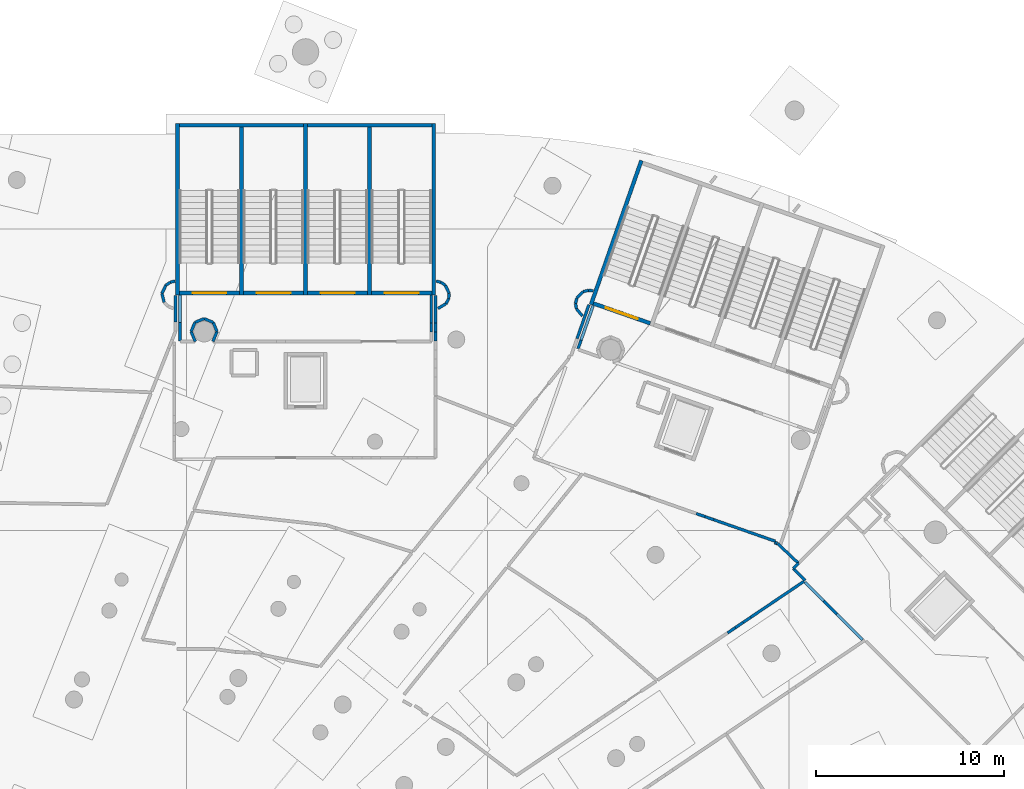
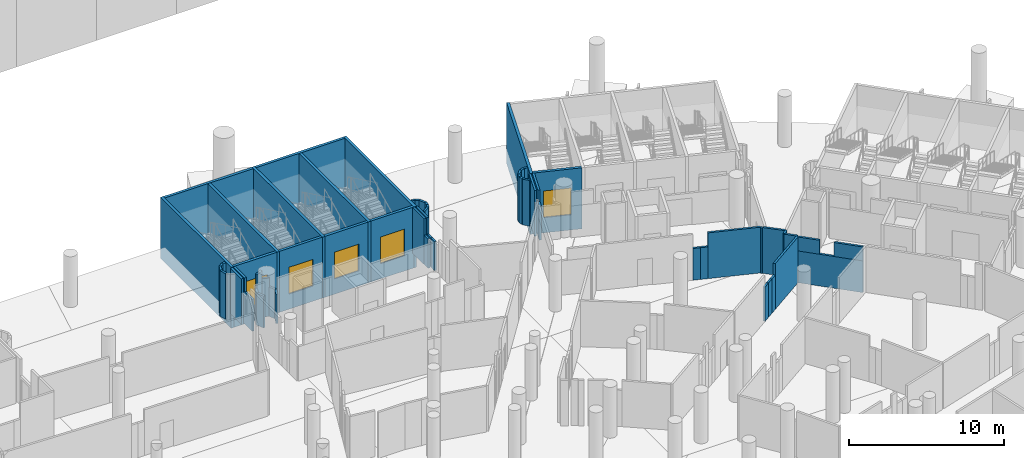
# One storey, part 91 of 142: 60 walls, 5 doors, 5 openings.
"""IFC4 building model written with IfcOpenShell, lengths in metres."""

from ifc_helpers import new_model, si_unit, direction, frame, frame_2d, origin, place, context, subcontext, project, spatial, rectangle, extrude, material, layer, layer_set, type_object, element, fill, save


model = new_model("IFC4")

# Units and contexts
model_context = context("Model", 3, precision=1e-05, world=origin(), true_north=direction((0.0, 1.0)))
body_context = subcontext(model_context, "Body", "Model", "MODEL_VIEW")
ifc_project = project(units=[si_unit("LENGTHUNIT", "METRE"), si_unit("AREAUNIT", "SQUARE_METRE"), si_unit("VOLUMEUNIT", "CUBIC_METRE"), si_unit("PLANEANGLEUNIT", "RADIAN"), si_unit("MASSUNIT", "GRAM", prefix="KILO")], contexts=[model_context])

# Site, building, storey
site_placement = place(None, origin())
site = spatial("IfcSite", under=ifc_project, at=site_placement, CompositionType="ELEMENT")
building_placement = place(site_placement, origin())
building = spatial("IfcBuilding", under=site, at=building_placement, Name="Meseta Stadium", CompositionType="ELEMENT")
storey_placement = place(building_placement, frame((0.0, 0.0, -4.0)))
storey = spatial("IfcBuildingStorey", under=building, at=storey_placement, Name="B1", CompositionType="ELEMENT", Elevation=-4.0)

# Walls
ifc_material_1 = material(Name="Concrete C40/50", Category="concrete")
ifc_layer_1 = layer(ifc_material_1, 0.199951171875)
ifc_layer_set_1 = layer_set([ifc_layer_1], Name="Core divider wall 200")
wall_type_1 = type_object("IfcWallType", Name="Core divider wall 200", PredefinedType="SHEAR", material=ifc_layer_set_1)
for number, where, z_axis, x_axis, name in (
    (1, (41.7333984375, 101.60009765625, -1.199951171875), (0.0, 0.0, 1.0), (0.0, -1.0, 0.0), "Core 09 B1 stair A divider wall"),
    (2, (34.933349609375, 101.60009765625, -1.199951171875), (0.0, 0.0, 1.0), (0.0, -1.0, 0.0), "Core 09 B1 stair B divider wall"),
):
    element("IfcWall", number, at=place(storey_placement, frame(where, z_axis=z_axis, x_axis=x_axis)), inside=storey, type_object=wall_type_1, Name=name, PredefinedType="SHEAR", context=body_context, shape_type="SweptSolid", body=[
        extrude(rectangle(XDim=9.10009765625, YDim=0.199951171875, at=frame_2d((4.550048828125, 0.0))), origin(), (0.0, 0.0, 1.0), 4.800048828125),
    ])
ifc_material_2 = material(Name="Concrete C40/50", Category="concrete")
ifc_layer_2 = layer(ifc_material_2, 0.199951171875)
ifc_layer_set_2 = layer_set([ifc_layer_2], Name="Core shaft wall 200")
wall_type_2 = type_object("IfcWallType", Name="Core shaft wall 200", PredefinedType="SHEAR", material=ifc_layer_set_2)
wall_1_placement = place(storey_placement, frame((56.16162109375, 99.62890625, -1.199951171875), z_axis=(0.0, 0.0, 1.0), x_axis=(-0.330280610426, -0.943882788474, 0.0)))
element("IfcWall", 3, at=wall_1_placement, inside=storey, type_object=wall_type_2, Name="Core 08 B1 stair wall B-side", PredefinedType="SHEAR", context=body_context, shape_type="SweptSolid", body=[
    extrude(rectangle(XDim=8.10009765625, YDim=0.199951171875, at=frame_2d((4.050048828125, 0.0))), origin(), (0.0, 0.0, 1.0), 4.800048828125),
])

# Wall, opening, door
wall_2_placement = place(storey_placement, frame((56.63427734375, 90.98779296875, -1.199951171875), z_axis=(0.0, 0.0, 1.0), x_axis=(-0.943886898693, 0.330268863922, 0.0)))
wall_2 = element("IfcWall", 4, at=wall_2_placement, inside=storey, type_object=wall_type_2, Name="Core 08 B1 stair B2 inner end wall", PredefinedType="SHEAR", context=body_context, shape_type="SweptSolid", body=[
    extrude(rectangle(XDim=3.2001953125, YDim=0.199951171875, at=frame_2d((1.60009765625, 0.0))), origin(), (0.0, 0.0, 1.0), 4.800048828125),
])
opening_1_placement = place(wall_2_placement, frame((0.699951171875, 0.0, 1.199951171875)))
opening_1 = element("IfcOpeningElement", 5, at=opening_1_placement, cuts=wall_2, Name="Opening D118", PredefinedType="OPENING", context=body_context, shape_type="SweptSolid", body=[
    extrude(rectangle(XDim=1.800048828125, YDim=2.10009765625, at=frame_2d((0.89990234375, 1.050048828125))), frame((0.0, 0.10986328125, 0.0), z_axis=(0.0, -1.0, 0.0), x_axis=(1.0, 0.0, 0.0)), (0.0, 0.0, 1.0), 0.219970703125),
])
ifc_material_3 = material(Name="Steel", Category="steel")
door_type = type_object("IfcDoorType", Name="Stair door 1800x2100", OperationType="DOUBLE_DOOR_SINGLE_SWING", PredefinedType="DOOR", material=ifc_material_3)
door_1_placement = place(opening_1_placement, origin())
door_1 = element("IfcDoor", 6, at=door_1_placement, inside=storey, type_object=door_type, Name="Stair B2 door 08 B1", OperationType="DOUBLE_DOOR_SINGLE_SWING", OverallHeight=2.10009765625, OverallWidth=1.800048828125, PredefinedType="DOOR", context=body_context, shape_type="SweptSolid", body=[
    extrude(rectangle(XDim=1.800048828125, YDim=2.10009765625, at=frame_2d((0.89990234375, 1.050048828125))), frame((0.0, 0.02490234375, 0.0), z_axis=(0.0, -1.0, 0.0), x_axis=(1.0, 0.0, 0.0)), (0.0, 0.0, 1.0), 0.050048828125),
])
fill(opening_1, door_1)

# Walls
for number, where, z_axis, x_axis, name in (
    (7, (45.13330078125, 101.60009765625, -1.199951171875), (0.0, 0.0, 1.0), (0.0, -1.0, 0.0), "Core 09 B1 stair wall A-side"),
    (8, (38.333251953125, 101.60009765625, -1.199951171875), (0.0, 0.0, 1.0), (0.0, -1.0, 0.0), "Core 09 B1 stair wall shared"),
    (9, (31.533203125, 101.60009765625, -1.199951171875), (0.0, 0.0, 1.0), (0.0, -1.0, 0.0), "Core 09 B1 stair wall B-side"),
):
    element("IfcWall", number, at=place(storey_placement, frame(where, z_axis=z_axis, x_axis=x_axis)), inside=storey, type_object=wall_type_2, Name=name, PredefinedType="SHEAR", context=body_context, shape_type="SweptSolid", body=[
        extrude(rectangle(XDim=9.10009765625, YDim=0.199951171875, at=frame_2d((4.550048828125, 0.0))), origin(), (0.0, 0.0, 1.0), 4.800048828125),
    ])
wall_3_placement = place(storey_placement, frame((45.033203125, 101.5, -1.199951171875), z_axis=(0.0, 0.0, 1.0), x_axis=(-1.0, 0.0, 0.0)))
element("IfcWall", 10, at=wall_3_placement, inside=storey, type_object=wall_type_2, Name="Core 09 B1 stair A outer end wall", PredefinedType="SHEAR", context=body_context, shape_type="SweptSolid", body=[
    extrude(rectangle(XDim=6.599853515625, YDim=0.199951171875, at=frame_2d((3.2998046875, 0.0))), origin(), (0.0, 0.0, 1.0), 4.800048828125),
])
wall_4_placement = place(storey_placement, frame((38.2333984375, 101.5, -1.199951171875), z_axis=(0.0, 0.0, 1.0), x_axis=(-1.0, 0.0, 0.0)))
element("IfcWall", 11, at=wall_4_placement, inside=storey, type_object=wall_type_2, Name="Core 09 B1 stair B outer end wall", PredefinedType="SHEAR", context=body_context, shape_type="SweptSolid", body=[
    extrude(rectangle(XDim=6.60009765625, YDim=0.199951171875, at=frame_2d((3.300048828125, 0.0))), origin(), (0.0, 0.0, 1.0), 4.800048828125),
])

# Wall, opening, door
wall_5_placement = place(storey_placement, frame((45.033203125, 92.60009765625, -1.199951171875), z_axis=(0.0, 0.0, 1.0), x_axis=(-1.0, 0.0, 0.0)))
wall_5 = element("IfcWall", 12, at=wall_5_placement, inside=storey, type_object=wall_type_2, Name="Core 09 B1 stair A1 inner end wall", PredefinedType="SHEAR", context=body_context, shape_type="SweptSolid", body=[
    extrude(rectangle(XDim=3.199951171875, YDim=0.199951171875, at=frame_2d((1.60009765625, 0.0))), origin(), (0.0, 0.0, 1.0), 4.800048828125),
])
opening_2_placement = place(wall_5_placement, frame((0.699951171875, 0.0, 1.199951171875)))
opening_2 = element("IfcOpeningElement", 13, at=opening_2_placement, cuts=wall_5, Name="Opening D127", PredefinedType="OPENING", context=body_context, shape_type="SweptSolid", body=[
    extrude(rectangle(XDim=1.800048828125, YDim=2.10009765625, at=frame_2d((0.89990234375, 1.050048828125))), frame((0.0, 0.10986328125, 0.0), z_axis=(0.0, -1.0, 0.0), x_axis=(1.0, 0.0, 0.0)), (0.0, 0.0, 1.0), 0.219970703125),
])
door_2_placement = place(opening_2_placement, origin())
door_2 = element("IfcDoor", 14, at=door_2_placement, inside=storey, type_object=door_type, Name="Stair A1 door 09 B1", OperationType="DOUBLE_DOOR_SINGLE_SWING", OverallHeight=2.10009765625, OverallWidth=1.800048828125, PredefinedType="DOOR", context=body_context, shape_type="SweptSolid", body=[
    extrude(rectangle(XDim=1.800048828125, YDim=2.10009765625, at=frame_2d((0.89990234375, 1.050048828125))), frame((0.0, 0.02490234375, 0.0), z_axis=(0.0, -1.0, 0.0), x_axis=(1.0, 0.0, 0.0)), (0.0, 0.0, 1.0), 0.050048828125),
])
fill(opening_2, door_2)

wall_6_placement = place(storey_placement, frame((41.63330078125, 92.60009765625, -1.199951171875), z_axis=(0.0, 0.0, 1.0), x_axis=(-1.0, 0.0, 0.0)))
wall_6 = element("IfcWall", 15, at=wall_6_placement, inside=storey, type_object=wall_type_2, Name="Core 09 B1 stair A2 inner end wall", PredefinedType="SHEAR", context=body_context, shape_type="SweptSolid", body=[
    extrude(rectangle(XDim=3.199951171875, YDim=0.199951171875, at=frame_2d((1.60009765625, 0.0))), origin(), (0.0, 0.0, 1.0), 4.800048828125),
])
opening_3_placement = place(wall_6_placement, frame((0.699951171875, 0.0, 1.199951171875)))
opening_3 = element("IfcOpeningElement", 16, at=opening_3_placement, cuts=wall_6, Name="Opening D128", PredefinedType="OPENING", context=body_context, shape_type="SweptSolid", body=[
    extrude(rectangle(XDim=1.800048828125, YDim=2.10009765625, at=frame_2d((0.89990234375, 1.050048828125))), frame((0.0, 0.10986328125, 0.0), z_axis=(0.0, -1.0, 0.0), x_axis=(1.0, 0.0, 0.0)), (0.0, 0.0, 1.0), 0.219970703125),
])
door_3_placement = place(opening_3_placement, origin())
door_3 = element("IfcDoor", 17, at=door_3_placement, inside=storey, type_object=door_type, Name="Stair A2 door 09 B1", OperationType="DOUBLE_DOOR_SINGLE_SWING", OverallHeight=2.10009765625, OverallWidth=1.800048828125, PredefinedType="DOOR", context=body_context, shape_type="SweptSolid", body=[
    extrude(rectangle(XDim=1.800048828125, YDim=2.10009765625, at=frame_2d((0.89990234375, 1.050048828125))), frame((0.0, 0.02490234375, 0.0), z_axis=(0.0, -1.0, 0.0), x_axis=(1.0, 0.0, 0.0)), (0.0, 0.0, 1.0), 0.050048828125),
])
fill(opening_3, door_3)

wall_7_placement = place(storey_placement, frame((38.2333984375, 92.60009765625, -1.199951171875), z_axis=(0.0, 0.0, 1.0), x_axis=(-1.0, 0.0, 0.0)))
wall_7 = element("IfcWall", 18, at=wall_7_placement, inside=storey, type_object=wall_type_2, Name="Core 09 B1 stair B1 inner end wall", PredefinedType="SHEAR", context=body_context, shape_type="SweptSolid", body=[
    extrude(rectangle(XDim=3.2001953125, YDim=0.199951171875, at=frame_2d((1.60009765625, 0.0))), origin(), (0.0, 0.0, 1.0), 4.800048828125),
])
opening_4_placement = place(wall_7_placement, frame((0.699951171875, 0.0, 1.199951171875)))
opening_4 = element("IfcOpeningElement", 19, at=opening_4_placement, cuts=wall_7, Name="Opening D129", PredefinedType="OPENING", context=body_context, shape_type="SweptSolid", body=[
    extrude(rectangle(XDim=1.800048828125, YDim=2.10009765625, at=frame_2d((0.89990234375, 1.050048828125))), frame((0.0, 0.10986328125, 0.0), z_axis=(0.0, -1.0, 0.0), x_axis=(1.0, 0.0, 0.0)), (0.0, 0.0, 1.0), 0.219970703125),
])
door_4_placement = place(opening_4_placement, origin())
door_4 = element("IfcDoor", 20, at=door_4_placement, inside=storey, type_object=door_type, Name="Stair B1 door 09 B1", OperationType="DOUBLE_DOOR_SINGLE_SWING", OverallHeight=2.10009765625, OverallWidth=1.800048828125, PredefinedType="DOOR", context=body_context, shape_type="SweptSolid", body=[
    extrude(rectangle(XDim=1.800048828125, YDim=2.10009765625, at=frame_2d((0.89990234375, 1.050048828125))), frame((0.0, 0.02490234375, 0.0), z_axis=(0.0, -1.0, 0.0), x_axis=(1.0, 0.0, 0.0)), (0.0, 0.0, 1.0), 0.050048828125),
])
fill(opening_4, door_4)

wall_8_placement = place(storey_placement, frame((34.833251953125, 92.60009765625, -1.199951171875), z_axis=(0.0, 0.0, 1.0), x_axis=(-1.0, 0.0, 0.0)))
wall_8 = element("IfcWall", 21, at=wall_8_placement, inside=storey, type_object=wall_type_2, Name="Core 09 B1 stair B2 inner end wall", PredefinedType="SHEAR", context=body_context, shape_type="SweptSolid", body=[
    extrude(rectangle(XDim=3.199951171875, YDim=0.199951171875, at=frame_2d((1.60009765625, 0.0))), origin(), (0.0, 0.0, 1.0), 4.800048828125),
])
opening_5_placement = place(wall_8_placement, frame((0.699951171875, 0.0, 1.199951171875)))
opening_5 = element("IfcOpeningElement", 22, at=opening_5_placement, cuts=wall_8, Name="Opening D130", PredefinedType="OPENING", context=body_context, shape_type="SweptSolid", body=[
    extrude(rectangle(XDim=1.800048828125, YDim=2.10009765625, at=frame_2d((0.89990234375, 1.050048828125))), frame((0.0, 0.10986328125, 0.0), z_axis=(0.0, -1.0, 0.0), x_axis=(1.0, 0.0, 0.0)), (0.0, 0.0, 1.0), 0.219970703125),
])
door_5_placement = place(opening_5_placement, origin())
door_5 = element("IfcDoor", 23, at=door_5_placement, inside=storey, type_object=door_type, Name="Stair B2 door 09 B1", OperationType="DOUBLE_DOOR_SINGLE_SWING", OverallHeight=2.10009765625, OverallWidth=1.800048828125, PredefinedType="DOOR", context=body_context, shape_type="SweptSolid", body=[
    extrude(rectangle(XDim=1.800048828125, YDim=2.10009765625, at=frame_2d((0.89990234375, 1.050048828125))), frame((0.0, 0.02490234375, 0.0), z_axis=(0.0, -1.0, 0.0), x_axis=(1.0, 0.0, 0.0)), (0.0, 0.0, 1.0), 0.050048828125),
])
fill(opening_5, door_5)

# Walls
ifc_material_4 = material(Name="Masonry blockwork", Category="masonry")
ifc_layer_3 = layer(ifc_material_4, 0.14990234375)
ifc_layer_set_3 = layer_set([ifc_layer_3], Name="Partition 150")
wall_type_3 = type_object("IfcWallType", Name="Partition 150", PredefinedType="PARTITIONING", material=ifc_layer_set_3)
for number, where, z_axis, x_axis, name in (
    (24, (59.07568359375, 80.887939453125, 0.0), (0.0, 0.0, 1.0), (0.943873796239, -0.330306307498, 0.0), "Partition B1 B1-cell06-2-0"),
    (25, (59.541015625, 80.72509765625, 0.0), (0.0, 0.0, 1.0), (0.944028109285, -0.329865016151, 0.0), "Partition B1 B1-cell06-2-0"),
):
    element("IfcWall", number, at=place(storey_placement, frame(where, z_axis=z_axis, x_axis=x_axis)), inside=storey, type_object=wall_type_3, Name=name, PredefinedType="PARTITIONING", context=body_context, shape_type="SweptSolid", body=[
        extrude(rectangle(XDim=0.492919921875, YDim=0.14990234375, at=frame_2d((0.24658203125, 0.0))), origin(), (0.0, 0.0, 1.0), 2.5),
    ])
wall_9_placement = place(storey_placement, frame((60.00634765625, 80.5625, 0.0), z_axis=(0.0, 0.0, 1.0), x_axis=(0.943866077076, -0.33032836473, 0.0)))
element("IfcWall", 26, at=wall_9_placement, inside=storey, type_object=wall_type_3, Name="Partition B1 B1-cell06-2-0", PredefinedType="PARTITIONING", context=body_context, shape_type="SweptSolid", body=[
    extrude(rectangle(XDim=3.45068359375, YDim=0.14990234375, at=frame_2d((1.725341796875, 0.0))), origin(), (0.0, 0.0, 1.0), 3.60009765625),
])
wall_10_placement = place(storey_placement, frame((63.396240234375, 79.296630859375, 0.0), z_axis=(0.0, 0.0, 1.0), x_axis=(0.725626624964, -0.688088657909, 0.0)))
element("IfcWall", 27, at=wall_10_placement, inside=storey, type_object=wall_type_3, Name="Partition B1 B1-cell06-2-0", PredefinedType="PARTITIONING", context=body_context, shape_type="SweptSolid", body=[
    extrude(rectangle(XDim=1.515380859375, YDim=0.14990234375, at=frame_2d((0.7578125, 0.0))), origin(), (0.0, 0.0, 1.0), 3.60009765625),
])
wall_11_placement = place(storey_placement, frame((64.495849609375, 78.25390625, 0.0), z_axis=(0.0, 0.0, 1.0), x_axis=(-0.706798874946, -0.707414553409, 0.0)))
element("IfcWall", 28, at=wall_11_placement, inside=storey, type_object=wall_type_3, Name="Partition B1 B1-cell06-2-0", PredefinedType="PARTITIONING", context=body_context, shape_type="SweptSolid", body=[
    extrude(rectangle(XDim=0.396484375, YDim=0.14990234375, at=frame_2d((0.1982421875, 0.0))), origin(), (0.0, 0.0, 1.0), 3.60009765625),
])
wall_12_placement = place(storey_placement, frame((64.215576171875, 77.973388671875, 0.0), z_axis=(0.0, 0.0, 1.0), x_axis=(0.707106781187, -0.707106781187, 0.0)))
element("IfcWall", 29, at=wall_12_placement, inside=storey, type_object=wall_type_3, Name="Partition B1 B1-cell06-2-0", PredefinedType="PARTITIONING", context=body_context, shape_type="SweptSolid", body=[
    extrude(rectangle(XDim=0.907470703125, YDim=0.14990234375, at=frame_2d((0.45361328125, 0.0))), origin(), (0.0, 0.0, 1.0), 3.60009765625),
])
wall_13_placement = place(storey_placement, frame((64.793701171875, 77.2890625, 0.0), z_axis=(0.0, 0.0, 1.0), x_axis=(-0.828834529993, -0.559493808626, 0.0)))
element("IfcWall", 30, at=wall_13_placement, inside=storey, type_object=wall_type_3, Name="Partition B1 B1-cell06-2-0", PredefinedType="PARTITIONING", context=body_context, shape_type="SweptSolid", body=[
    extrude(rectangle(XDim=3.40185546875, YDim=0.14990234375, at=frame_2d((1.700927734375, 0.0))), origin(), (0.0, 0.0, 1.0), 3.60009765625),
])
wall_14_placement = place(storey_placement, frame((61.97412109375, 75.3857421875, 0.0), z_axis=(0.0, 0.0, 1.0), x_axis=(-0.828632099968, -0.559793571687, 0.0)))
element("IfcWall", 31, at=wall_14_placement, inside=storey, type_object=wall_type_3, Name="Partition B1 B1-cell06-2-0", PredefinedType="PARTITIONING", context=body_context, shape_type="SweptSolid", body=[
    extrude(rectangle(XDim=0.496826171875, YDim=0.14990234375, at=frame_2d((0.24853515625, 0.0))), origin(), (0.0, 0.0, 1.0), 2.699951171875),
])
wall_15_placement = place(storey_placement, frame((61.5625, 75.107666015625, 0.0), z_axis=(0.0, 0.0, 1.0), x_axis=(-0.828939751849, -0.559337901277, 0.0)))
element("IfcWall", 32, at=wall_15_placement, inside=storey, type_object=wall_type_3, Name="Partition B1 B1-cell06-2-0", PredefinedType="PARTITIONING", context=body_context, shape_type="SweptSolid", body=[
    extrude(rectangle(XDim=0.4970703125, YDim=0.14990234375, at=frame_2d((0.24853515625, 0.0))), origin(), (0.0, 0.0, 1.0), 2.699951171875),
])
wall_16_placement = place(storey_placement, frame((61.150390625, 74.82958984375, 0.0), z_axis=(0.0, 0.0, 1.0), x_axis=(-0.828632099968, -0.559793571687, 0.0)))
element("IfcWall", 33, at=wall_16_placement, inside=storey, type_object=wall_type_3, Name="Partition B1 B1-cell06-2-0", PredefinedType="PARTITIONING", context=body_context, shape_type="SweptSolid", body=[
    extrude(rectangle(XDim=0.496826171875, YDim=0.14990234375, at=frame_2d((0.24853515625, 0.0))), origin(), (0.0, 0.0, 1.0), 2.699951171875),
])
for number, where, z_axis, x_axis, name in (
    (34, (45.2333984375, 90.052734375, 0.0), (0.0, 0.0, 1.0), (0.0, 1.0, 0.0), "Partition B1 B1-cell07-3-0"),
    (35, (45.2333984375, 90.5341796875, 0.0), (0.0, 0.0, 1.0), (0.0, 1.0, 0.0), "Partition B1 B1-cell07-3-0"),
):
    element("IfcWall", number, at=place(storey_placement, frame(where, z_axis=z_axis, x_axis=x_axis)), inside=storey, type_object=wall_type_3, Name=name, PredefinedType="PARTITIONING", context=body_context, shape_type="SweptSolid", body=[
        extrude(rectangle(XDim=0.4814453125, YDim=0.14990234375, at=frame_2d((0.24072265625, 0.0))), origin(), (0.0, 0.0, 1.0), 2.300048828125),
    ])
wall_17_placement = place(storey_placement, frame((45.2333984375, 91.015625, 0.0), z_axis=(0.0, 0.0, 1.0), x_axis=(0.0, 1.0, 0.0)))
element("IfcWall", 36, at=wall_17_placement, inside=storey, type_object=wall_type_3, Name="Partition B1 B1-cell07-3-0", PredefinedType="PARTITIONING", context=body_context, shape_type="SweptSolid", body=[
    extrude(rectangle(XDim=1.4443359375, YDim=0.14990234375, at=frame_2d((0.72216796875, 0.0))), origin(), (0.0, 0.0, 1.0), 3.60009765625),
])
wall_18_placement = place(storey_placement, frame((53.378662109375, 91.978759765625, 0.0), z_axis=(0.0, 0.0, 1.0), x_axis=(-0.330190985446, -0.943914145, 0.0)))
element("IfcWall", 37, at=wall_18_placement, inside=storey, type_object=wall_type_3, Name="Partition B1 B1-cell07-3-0", PredefinedType="PARTITIONING", context=body_context, shape_type="SweptSolid", body=[
    extrude(rectangle(XDim=1.909912109375, YDim=0.14990234375, at=frame_2d((0.955078125, 0.0))), origin(), (0.0, 0.0, 1.0), 3.60009765625),
])
wall_19_placement = place(storey_placement, frame((31.433349609375, 92.4599609375, 0.0), z_axis=(0.0, 0.0, 1.0), x_axis=(0.0, -1.0, 0.0)))
element("IfcWall", 38, at=wall_19_placement, inside=storey, type_object=wall_type_3, Name="Partition B1 B1-cell08-2-0", PredefinedType="PARTITIONING", context=body_context, shape_type="SweptSolid", body=[
    extrude(rectangle(XDim=1.41259765625, YDim=0.14990234375, at=frame_2d((0.706298828125, 0.0))), origin(), (0.0, 0.0, 1.0), 3.60009765625),
])
wall_20_placement = place(storey_placement, frame((64.8466796875, 77.236328125, 0.0), z_axis=(0.0, 0.0, 1.0), x_axis=(0.707106781187, -0.707106781187, 0.0)))
element("IfcWall", 39, at=wall_20_placement, inside=storey, type_object=wall_type_3, Name="Stair vestibule wall B1 core 07", PredefinedType="PARTITIONING", context=body_context, shape_type="SweptSolid", body=[
    extrude(rectangle(XDim=4.3154296875, YDim=0.14990234375, at=frame_2d((2.15771484375, 0.0))), origin(), (0.0, 0.0, 1.0), 2.5),
])
wall_21_placement = place(storey_placement, frame((64.8466796875, 77.236328125, 2.5), z_axis=(0.0, 0.0, 1.0), x_axis=(0.707106781187, -0.707106781187, 0.0)))
element("IfcWall", 40, at=wall_21_placement, inside=storey, type_object=wall_type_3, Name="Stair vestibule wall B1 core 07", PredefinedType="PARTITIONING", context=body_context, shape_type="SweptSolid", body=[
    extrude(rectangle(XDim=1.411376953125, YDim=0.14990234375, at=frame_2d((0.70556640625, 0.0))), origin(), (0.0, 0.0, 1.0), 1.10009765625),
])
wall_22_placement = place(storey_placement, frame((66.53369140625, 75.54931640625, 2.5), z_axis=(0.0, 0.0, 1.0), x_axis=(0.707106781187, -0.707106781187, 0.0)))
element("IfcWall", 41, at=wall_22_placement, inside=storey, type_object=wall_type_3, Name="Stair vestibule wall B1 core 07", PredefinedType="PARTITIONING", context=body_context, shape_type="SweptSolid", body=[
    extrude(rectangle(XDim=1.9296875, YDim=0.14990234375, at=frame_2d((0.96484375, 0.0))), origin(), (0.0, 0.0, 1.0), 1.10009765625),
])
wall_23_placement = place(storey_placement, frame((53.60107421875, 91.9326171875, 0.0), z_axis=(0.0, 0.0, 1.0), x_axis=(-0.330328049416, -0.943866187428, 0.0)))
element("IfcWall", 42, at=wall_23_placement, inside=storey, type_object=wall_type_3, Name="Stair vestibule wall B1 core 08", PredefinedType="PARTITIONING", context=body_context, shape_type="SweptSolid", body=[
    extrude(rectangle(XDim=2.43017578125, YDim=0.14990234375, at=frame_2d((1.215087890625, 0.0))), origin(), (0.0, 0.0, 1.0), 2.699951171875),
])
wall_24_placement = place(storey_placement, frame((53.60107421875, 91.9326171875, 2.699951171875), z_axis=(0.0, 0.0, 1.0), x_axis=(-0.330283297121, -0.943881848349, 0.0)))
element("IfcWall", 43, at=wall_24_placement, inside=storey, type_object=wall_type_3, Name="Stair vestibule wall B1 core 08", PredefinedType="PARTITIONING", context=body_context, shape_type="SweptSolid", body=[
    extrude(rectangle(XDim=1.944091796875, YDim=0.14990234375, at=frame_2d((0.97216796875, 0.0))), origin(), (0.0, 0.0, 1.0), 0.900146484375),
])
wall_25_placement = place(storey_placement, frame((63.248291015625, 79.348388671875, 0.0), z_axis=(0.0, 0.0, 1.0), x_axis=(0.943888819052, -0.33026337561, 0.0)))
element("IfcWall", 44, at=wall_25_placement, inside=storey, type_object=wall_type_3, Name="Stair vestibule wall B1 core 08", PredefinedType="PARTITIONING", context=body_context, shape_type="SweptSolid", body=[
    extrude(rectangle(XDim=0.125, YDim=0.14990234375, at=frame_2d((0.0625, 0.0))), origin(), (0.0, 0.0, 1.0), 3.60009765625),
])
wall_26_placement = place(storey_placement, frame((53.606201171875, 92.714599609375, 0.0), z_axis=(0.0, 0.0, 1.0), x_axis=(-0.99455723192, 0.104191710011, 0.0)))
element("IfcWall", 45, at=wall_26_placement, inside=storey, type_object=wall_type_3, Name="Stair vestibule wall B1 core 08", PredefinedType="PARTITIONING", context=body_context, shape_type="SweptSolid", body=[
    extrude(rectangle(XDim=0.2578125, YDim=0.14990234375, at=frame_2d((0.12890625, 0.0))), origin(), (0.0, 0.0, 1.0), 3.60009765625),
])
wall_27_placement = place(storey_placement, frame((53.349853515625, 92.741455078125, 0.0), z_axis=(0.0, 0.0, 1.0), x_axis=(-0.968217741574, -0.250108786133, 0.0)))
element("IfcWall", 46, at=wall_27_placement, inside=storey, type_object=wall_type_3, Name="Stair vestibule wall B1 core 08", PredefinedType="PARTITIONING", context=body_context, shape_type="SweptSolid", body=[
    extrude(rectangle(XDim=0.287841796875, YDim=0.14990234375, at=frame_2d((0.14404296875, 0.0))), origin(), (0.0, 0.0, 1.0), 3.60009765625),
])
wall_28_placement = place(storey_placement, frame((53.071044921875, 92.66943359375, 0.0), z_axis=(0.0, 0.0, 1.0), x_axis=(-0.701994133163, -0.712182727258, 0.0)))
element("IfcWall", 47, at=wall_28_placement, inside=storey, type_object=wall_type_3, Name="Stair vestibule wall B1 core 08", PredefinedType="PARTITIONING", context=body_context, shape_type="SweptSolid", body=[
    extrude(rectangle(XDim=0.479248046875, YDim=0.14990234375, at=frame_2d((0.23974609375, 0.0))), origin(), (0.0, 0.0, 1.0), 3.60009765625),
])
wall_29_placement = place(storey_placement, frame((52.734619140625, 92.328125, 0.0), z_axis=(0.0, 0.0, 1.0), x_axis=(-0.237169904652, -0.971468185957, 0.0)))
element("IfcWall", 48, at=wall_29_placement, inside=storey, type_object=wall_type_3, Name="Stair vestibule wall B1 core 08", PredefinedType="PARTITIONING", context=body_context, shape_type="SweptSolid", body=[
    extrude(rectangle(XDim=0.289306640625, YDim=0.14990234375, at=frame_2d((0.14453125, 0.0))), origin(), (0.0, 0.0, 1.0), 3.60009765625),
])
wall_30_placement = place(storey_placement, frame((52.666015625, 92.047119140625, 0.0), z_axis=(0.0, 0.0, 1.0), x_axis=(0.153450889183, -0.988156275398, 0.0)))
element("IfcWall", 49, at=wall_30_placement, inside=storey, type_object=wall_type_3, Name="Stair vestibule wall B1 core 08", PredefinedType="PARTITIONING", context=body_context, shape_type="SweptSolid", body=[
    extrude(rectangle(XDim=0.28955078125, YDim=0.14990234375, at=frame_2d((0.144775390625, 0.0))), origin(), (0.0, 0.0, 1.0), 3.60009765625),
])
wall_31_placement = place(storey_placement, frame((52.71044921875, 91.760986328125, 0.0), z_axis=(0.0, 0.0, 1.0), x_axis=(0.641382989258, -0.767220868519, 0.0)))
element("IfcWall", 50, at=wall_31_placement, inside=storey, type_object=wall_type_3, Name="Stair vestibule wall B1 core 08", PredefinedType="PARTITIONING", context=body_context, shape_type="SweptSolid", body=[
    extrude(rectangle(XDim=0.50048828125, YDim=0.14990234375, at=frame_2d((0.250244140625, 0.0))), origin(), (0.0, 0.0, 1.0), 3.60009765625),
])
wall_32_placement = place(storey_placement, frame((32.475341796875, 90.02490234375, 0.0), z_axis=(0.0, 0.0, 1.0), x_axis=(-0.382452777268, 0.923975039252, 0.0)))
element("IfcWall", 51, at=wall_32_placement, inside=storey, type_object=wall_type_3, Name="Stair vestibule wall B1 core 09", PredefinedType="PARTITIONING", context=body_context, shape_type="SweptSolid", body=[
    extrude(rectangle(XDim=0.5693359375, YDim=0.14990234375, at=frame_2d((0.28466796875, 0.0))), origin(), (0.0, 0.0, 1.0), 2.5),
])
wall_33_placement = place(storey_placement, frame((32.257568359375, 90.551025390625, 0.0), z_axis=(0.0, 0.0, 1.0), x_axis=(0.382666625355, 0.923886494024, 0.0)))
element("IfcWall", 52, at=wall_33_placement, inside=storey, type_object=wall_type_3, Name="Stair vestibule wall B1 core 09", PredefinedType="PARTITIONING", context=body_context, shape_type="SweptSolid", body=[
    extrude(rectangle(XDim=0.525146484375, YDim=0.14990234375, at=frame_2d((0.2626953125, 0.0))), origin(), (0.0, 0.0, 1.0), 2.5),
])
wall_34_placement = place(storey_placement, frame((32.45849609375, 91.0361328125, 0.0), z_axis=(0.0, 0.0, 1.0), x_axis=(0.923694016012, 0.383131002117, 0.0)))
element("IfcWall", 53, at=wall_34_placement, inside=storey, type_object=wall_type_3, Name="Stair vestibule wall B1 core 09", PredefinedType="PARTITIONING", context=body_context, shape_type="SweptSolid", body=[
    extrude(rectangle(XDim=0.525634765625, YDim=0.14990234375, at=frame_2d((0.2626953125, 0.0))), origin(), (0.0, 0.0, 1.0), 3.60009765625),
])
wall_35_placement = place(storey_placement, frame((32.944091796875, 91.237548828125, 0.0), z_axis=(0.0, 0.0, 1.0), x_axis=(0.923625802966, -0.383295416221, 0.0)))
element("IfcWall", 54, at=wall_35_placement, inside=storey, type_object=wall_type_3, Name="Stair vestibule wall B1 core 09", PredefinedType="PARTITIONING", context=body_context, shape_type="SweptSolid", body=[
    extrude(rectangle(XDim=0.525390625, YDim=0.14990234375, at=frame_2d((0.2626953125, 0.0))), origin(), (0.0, 0.0, 1.0), 3.0),
])
wall_36_placement = place(storey_placement, frame((33.429443359375, 91.0361328125, 0.0), z_axis=(0.0, 0.0, 1.0), x_axis=(0.382666625355, -0.923886494024, 0.0)))
element("IfcWall", 55, at=wall_36_placement, inside=storey, type_object=wall_type_3, Name="Stair vestibule wall B1 core 09", PredefinedType="PARTITIONING", context=body_context, shape_type="SweptSolid", body=[
    extrude(rectangle(XDim=0.525146484375, YDim=0.14990234375, at=frame_2d((0.2626953125, 0.0))), origin(), (0.0, 0.0, 1.0), 2.300048828125),
])
wall_37_placement = place(storey_placement, frame((33.63037109375, 90.551025390625, 0.0), z_axis=(0.0, 0.0, 1.0), x_axis=(-0.382452777268, -0.923975039252, 0.0)))
element("IfcWall", 56, at=wall_37_placement, inside=storey, type_object=wall_type_3, Name="Stair vestibule wall B1 core 09", PredefinedType="PARTITIONING", context=body_context, shape_type="SweptSolid", body=[
    extrude(rectangle(XDim=0.5693359375, YDim=0.14990234375, at=frame_2d((0.28466796875, 0.0))), origin(), (0.0, 0.0, 1.0), 2.300048828125),
])
wall_38_placement = place(storey_placement, frame((45.00830078125, 90.51806640625, 0.0), z_axis=(0.0, 0.0, 1.0), x_axis=(0.0, 1.0, 0.0)))
element("IfcWall", 57, at=wall_38_placement, inside=storey, type_object=wall_type_3, Name="Stair vestibule wall B1 core 09", PredefinedType="PARTITIONING", context=body_context, shape_type="SweptSolid", body=[
    extrude(rectangle(XDim=0.492919921875, YDim=0.14990234375, at=frame_2d((0.24658203125, 0.0))), origin(), (0.0, 0.0, 1.0), 2.300048828125),
])
wall_39_placement = place(storey_placement, frame((45.00830078125, 91.010986328125, 0.0), z_axis=(0.0, 0.0, 1.0), x_axis=(0.0, 1.0, 0.0)))
element("IfcWall", 58, at=wall_39_placement, inside=storey, type_object=wall_type_3, Name="Stair vestibule wall B1 core 09", PredefinedType="PARTITIONING", context=body_context, shape_type="SweptSolid", body=[
    extrude(rectangle(XDim=1.47900390625, YDim=0.14990234375, at=frame_2d((0.739501953125, 0.0))), origin(), (0.0, 0.0, 1.0), 3.60009765625),
])
wall_40_placement = place(storey_placement, frame((31.658203125, 92.489990234375, 0.0), z_axis=(0.0, 0.0, 1.0), x_axis=(0.0, -1.0, 0.0)))
element("IfcWall", 59, at=wall_40_placement, inside=storey, type_object=wall_type_3, Name="Stair vestibule wall B1 core 09", PredefinedType="PARTITIONING", context=body_context, shape_type="SweptSolid", body=[
    extrude(rectangle(XDim=2.429931640625, YDim=0.14990234375, at=frame_2d((1.21484375, 0.0))), origin(), (0.0, 0.0, 1.0), 2.5),
])
wall_41_placement = place(storey_placement, frame((31.658203125, 92.489990234375, 2.5), z_axis=(0.0, 0.0, 1.0), x_axis=(0.0, -1.0, 0.0)))
element("IfcWall", 60, at=wall_41_placement, inside=storey, type_object=wall_type_3, Name="Stair vestibule wall B1 core 09", PredefinedType="PARTITIONING", context=body_context, shape_type="SweptSolid", body=[
    extrude(rectangle(XDim=1.4580078125, YDim=0.14990234375, at=frame_2d((0.72900390625, 0.0))), origin(), (0.0, 0.0, 1.0), 1.10009765625),
])
wall_42_placement = place(storey_placement, frame((45.3623046875, 91.77734375, 0.0), z_axis=(0.0, 0.0, 1.0), x_axis=(0.85856712863, 0.512701166017, 0.0)))
element("IfcWall", 61, at=wall_42_placement, inside=storey, type_object=wall_type_3, Name="Stair vestibule wall B1 core 09", PredefinedType="PARTITIONING", context=body_context, shape_type="SweptSolid", body=[
    extrude(rectangle(XDim=0.50048828125, YDim=0.14990234375, at=frame_2d((0.250244140625, 0.0))), origin(), (0.0, 0.0, 1.0), 3.60009765625),
])
wall_43_placement = place(storey_placement, frame((45.7919921875, 92.033935546875, 0.0), z_axis=(0.0, 0.0, 1.0), x_axis=(0.471682765858, 0.881768319, 0.0)))
element("IfcWall", 62, at=wall_43_placement, inside=storey, type_object=wall_type_3, Name="Stair vestibule wall B1 core 09", PredefinedType="PARTITIONING", context=body_context, shape_type="SweptSolid", body=[
    extrude(rectangle(XDim=0.289306640625, YDim=0.14990234375, at=frame_2d((0.14453125, 0.0))), origin(), (0.0, 0.0, 1.0), 3.60009765625),
])
wall_44_placement = place(storey_placement, frame((45.928466796875, 92.2890625, 0.0), z_axis=(0.0, 0.0, 1.0), x_axis=(0.0978334953, 0.99520279702, 0.0)))
element("IfcWall", 63, at=wall_44_placement, inside=storey, type_object=wall_type_3, Name="Stair vestibule wall B1 core 09", PredefinedType="PARTITIONING", context=body_context, shape_type="SweptSolid", body=[
    extrude(rectangle(XDim=0.28955078125, YDim=0.14990234375, at=frame_2d((0.144775390625, 0.0))), origin(), (0.0, 0.0, 1.0), 3.60009765625),
])
wall_45_placement = place(storey_placement, frame((45.956787109375, 92.5771484375, 0.0), z_axis=(0.0, 0.0, 1.0), x_axis=(-0.427757963167, 0.903893315025, 0.0)))
element("IfcWall", 64, at=wall_45_placement, inside=storey, type_object=wall_type_3, Name="Stair vestibule wall B1 core 09", PredefinedType="PARTITIONING", context=body_context, shape_type="SweptSolid", body=[
    extrude(rectangle(XDim=0.4794921875, YDim=0.14990234375, at=frame_2d((0.23974609375, 0.0))), origin(), (0.0, 0.0, 1.0), 3.60009765625),
])
wall_46_placement = place(storey_placement, frame((45.751708984375, 93.010498046875, 0.0), z_axis=(0.0, 0.0, 1.0), x_axis=(-0.831397130511, 0.555678694372, 0.0)))
element("IfcWall", 65, at=wall_46_placement, inside=storey, type_object=wall_type_3, Name="Stair vestibule wall B1 core 09", PredefinedType="PARTITIONING", context=body_context, shape_type="SweptSolid", body=[
    extrude(rectangle(XDim=0.287841796875, YDim=0.14990234375, at=frame_2d((0.14404296875, 0.0))), origin(), (0.0, 0.0, 1.0), 3.60009765625),
])
for number, where, z_axis, x_axis, name in (
    (66, (45.512451171875, 93.17041015625, 0.0), (0.0, 0.0, 1.0), (-0.973130593004, 0.230253879357, 0.0), "Stair vestibule wall B1 core 09"),
    (67, (31.40478515625, 93.229736328125, 0.0), (0.0, 0.0, 1.0), (-0.973130593004, -0.230253879357, 0.0), "Stair vestibule wall B1 core 09"),
):
    element("IfcWall", number, at=place(storey_placement, frame(where, z_axis=z_axis, x_axis=x_axis)), inside=storey, type_object=wall_type_3, Name=name, PredefinedType="PARTITIONING", context=body_context, shape_type="SweptSolid", body=[
        extrude(rectangle(XDim=0.257568359375, YDim=0.14990234375, at=frame_2d((0.12890625, 0.0))), origin(), (0.0, 0.0, 1.0), 3.60009765625),
    ])
wall_47_placement = place(storey_placement, frame((31.154052734375, 93.17041015625, 0.0), z_axis=(0.0, 0.0, 1.0), x_axis=(-0.831397130511, -0.555678694372, 0.0)))
element("IfcWall", 68, at=wall_47_placement, inside=storey, type_object=wall_type_3, Name="Stair vestibule wall B1 core 09", PredefinedType="PARTITIONING", context=body_context, shape_type="SweptSolid", body=[
    extrude(rectangle(XDim=0.287841796875, YDim=0.14990234375, at=frame_2d((0.14404296875, 0.0))), origin(), (0.0, 0.0, 1.0), 3.60009765625),
])
for number, where, z_axis, x_axis, name in (
    (69, (30.914794921875, 93.010498046875, 0.0), (0.0, 0.0, 1.0), (-0.427805398413, -0.903870865273, 0.0), "Stair vestibule wall B1 core 09"),
    (70, (30.70703125, 92.571533203125, 0.0), (0.0, 0.0, 1.0), (0.24336370679, -0.969935104127, 0.0), "Stair vestibule wall B1 core 09"),
):
    element("IfcWall", number, at=place(storey_placement, frame(where, z_axis=z_axis, x_axis=x_axis)), inside=storey, type_object=wall_type_3, Name=name, PredefinedType="PARTITIONING", context=body_context, shape_type="SweptSolid", body=[
        extrude(rectangle(XDim=0.485595703125, YDim=0.14990234375, at=frame_2d((0.24267578125, 0.0))), origin(), (0.0, 0.0, 1.0), 3.60009765625),
    ])

save(model, "model.ifc")
